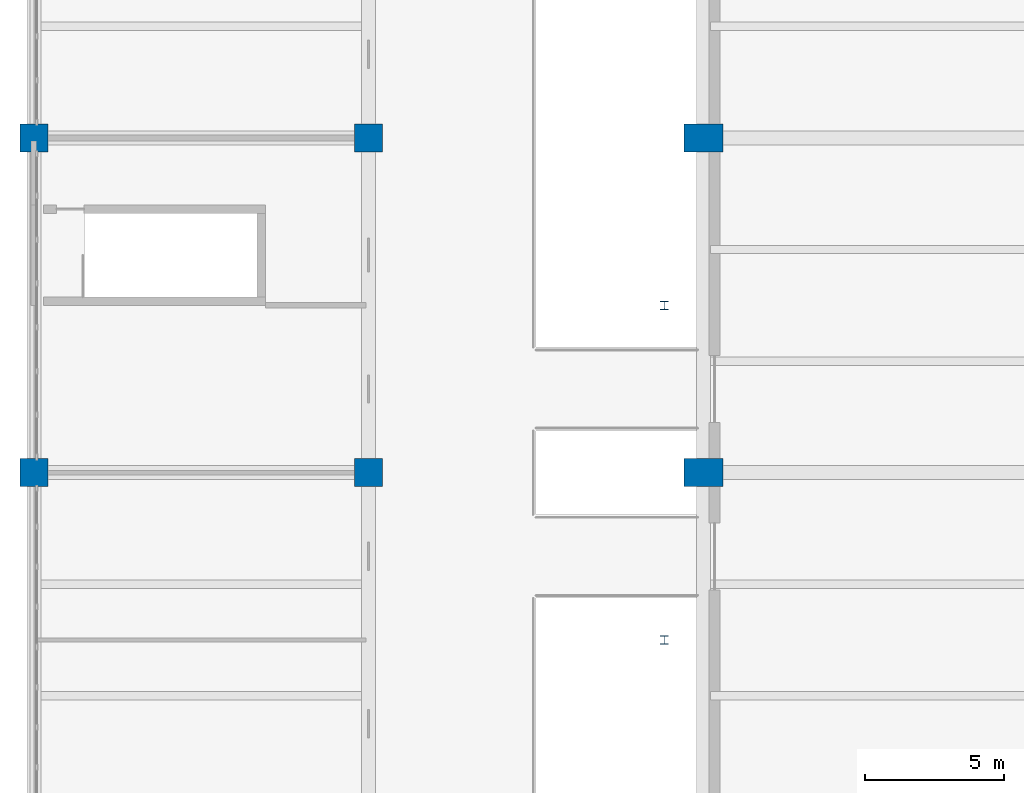
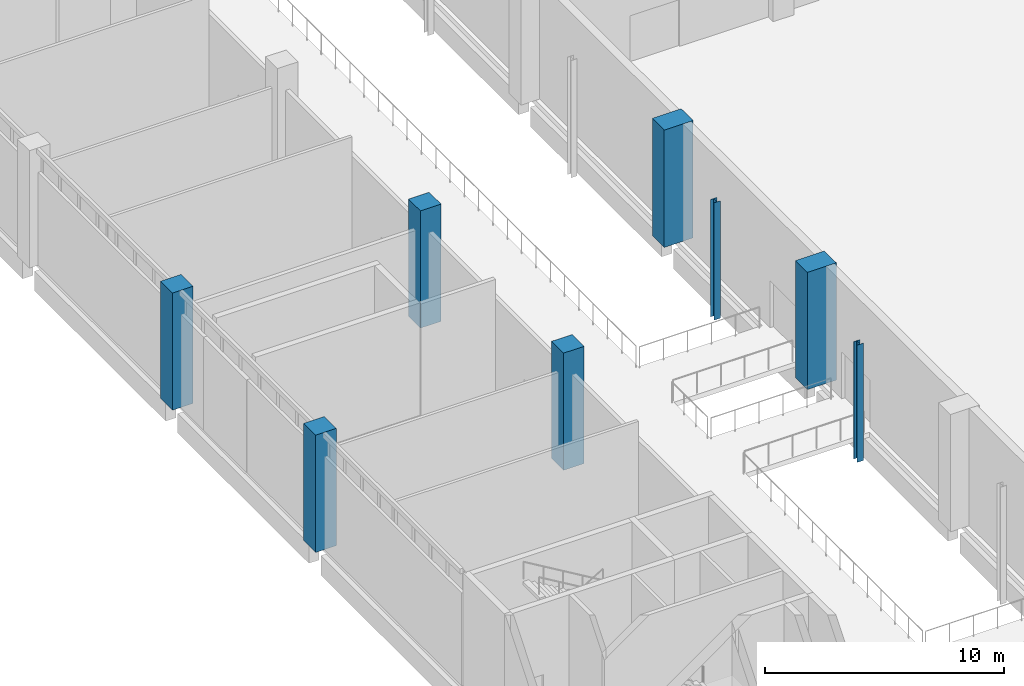
# One storey, part 8 of 72: 8 columns.
"""IFC4 building model written with IfcOpenShell, lengths in metres."""

from ifc_helpers import new_model, si_unit, direction, frame, origin, origin_2d, place, context, subcontext, project, spatial, rectangle, i_section, extrude, material, material_profile, profile_set, type_object, element, save


model = new_model("IFC4")

# Units and contexts
model_context = context("Model", 3, precision=1e-05, world=origin(), true_north=direction((0.0, 1.0)))
body_context = subcontext(model_context, "Body", "Model", "MODEL_VIEW")
ifc_project = project(units=[si_unit("LENGTHUNIT", "METRE"), si_unit("AREAUNIT", "SQUARE_METRE"), si_unit("VOLUMEUNIT", "CUBIC_METRE"), si_unit("PLANEANGLEUNIT", "RADIAN"), si_unit("MASSUNIT", "GRAM", prefix="KILO")], contexts=[model_context])

# Site, building, storey
site_placement = place(None, origin())
site = spatial("IfcSite", under=ifc_project, at=site_placement, CompositionType="ELEMENT")
building_placement = place(site_placement, origin())
building = spatial("IfcBuilding", under=site, at=building_placement, Name="Lilac Gate Convention Centre", CompositionType="ELEMENT")
storey_placement = place(building_placement, frame((0.0, 0.0, 6.0)))
storey = spatial("IfcBuildingStorey", under=building, at=storey_placement, Name="L01", CompositionType="ELEMENT", Elevation=6.0)

# Columns
ifc_material_1 = material(Name="Concrete C40", Category="concrete")
ifc_material_profile_1 = material_profile(ifc_material_1, rectangle(XDim=1.0, YDim=1.0, at=origin_2d()), Name="RC 1000x1000")
ifc_profile_set_1 = profile_set([ifc_material_profile_1], Name="Concrete C40")
column_type_1 = type_object("IfcColumnType", Name="RC column 1000x1000 C40", PredefinedType="COLUMN", material=ifc_profile_set_1)
for number, where, z_axis, x_axis, name in (
    (1, (6.0, 174.0, 0.0), (0.0, 0.0, 1.0), (1.0, 0.0, 0.0), "C1 L01 at 1/N"),
    (2, (6.0, 186.0, 0.0), (0.0, 0.0, 1.0), (1.0, 0.0, 0.0), "C1 L01 at 1/P"),
    (3, (18.0, 174.0, 0.0), (0.0, 0.0, 1.0), (1.0, 0.0, 0.0), "C1 L01 at 2/N"),
    (4, (18.0, 186.0, 0.0), (0.0, 0.0, 1.0), (1.0, 0.0, 0.0), "C1 L01 at 2/P"),
):
    element("IfcColumn", number, at=place(storey_placement, frame(where, z_axis=z_axis, x_axis=x_axis)), inside=storey, type_object=column_type_1, Name=name, PredefinedType="COLUMN", context=body_context, shape_type="SweptSolid", body=[
        extrude(rectangle(XDim=1.0, YDim=1.0, at=origin_2d()), origin(), (0.0, 0.0, 1.0), 6.0),
    ])
ifc_material_profile_2 = material_profile(ifc_material_1, rectangle(XDim=1.39990234375, YDim=1.0, at=origin_2d()), Name="RC 1400x1000")
ifc_profile_set_2 = profile_set([ifc_material_profile_2], Name="Concrete C40")
column_type_2 = type_object("IfcColumnType", Name="RC hall column 1400x1000 C40", PredefinedType="COLUMN", material=ifc_profile_set_2)
for number, where, z_axis, x_axis, name in (
    (5, (30.0, 174.0, 0.0), (0.0, 0.0, 1.0), (1.0, 0.0, 0.0), "C2 L01 at 3/N"),
    (6, (30.0, 186.0, 0.0), (0.0, 0.0, 1.0), (1.0, 0.0, 0.0), "C2 L01 at 3/P"),
):
    element("IfcColumn", number, at=place(storey_placement, frame(where, z_axis=z_axis, x_axis=x_axis)), inside=storey, type_object=column_type_2, Name=name, PredefinedType="COLUMN", context=body_context, shape_type="SweptSolid", body=[
        extrude(rectangle(XDim=1.39990234375, YDim=1.0, at=origin_2d()), origin(), (0.0, 0.0, 1.0), 6.0),
    ])
ifc_material_2 = material(Name="Steel Q355B", Category="steel")
ifc_material_profile_3 = material_profile(ifc_material_2, i_section(OverallWidth=0.300048828125, OverallDepth=0.300048828125, WebThickness=0.010009765625, FlangeThickness=0.014892578125, FilletRadius=0.012939453125, at=origin_2d()), Name="HW300x300x10x15")
ifc_profile_set_3 = profile_set([ifc_material_profile_3], Name="Steel Q355B")
column_type_3 = type_object("IfcColumnType", Name="Steel column HW300x300x10x15", PredefinedType="COLUMN", material=ifc_profile_set_3)
for number, where, z_axis, x_axis, name in (
    (7, (28.60009765625, 168.0, 0.0), (0.0, 0.0, 1.0), (1.0, 0.0, 0.0), "SC1 L01 atrium column at 168"),
    (8, (28.60009765625, 180.0, 0.0), (0.0, 0.0, 1.0), (1.0, 0.0, 0.0), "SC1 L01 atrium column at 180"),
):
    element("IfcColumn", number, at=place(storey_placement, frame(where, z_axis=z_axis, x_axis=x_axis)), inside=storey, type_object=column_type_3, Name=name, PredefinedType="COLUMN", context=body_context, shape_type="SweptSolid", body=[
        extrude(i_section(OverallWidth=0.300048828125, OverallDepth=0.300048828125, WebThickness=0.010009765625, FlangeThickness=0.014892578125, FilletRadius=0.012939453125, at=origin_2d()), origin(), (0.0, 0.0, 1.0), 6.0),
    ])

save(model, "model.ifc")
